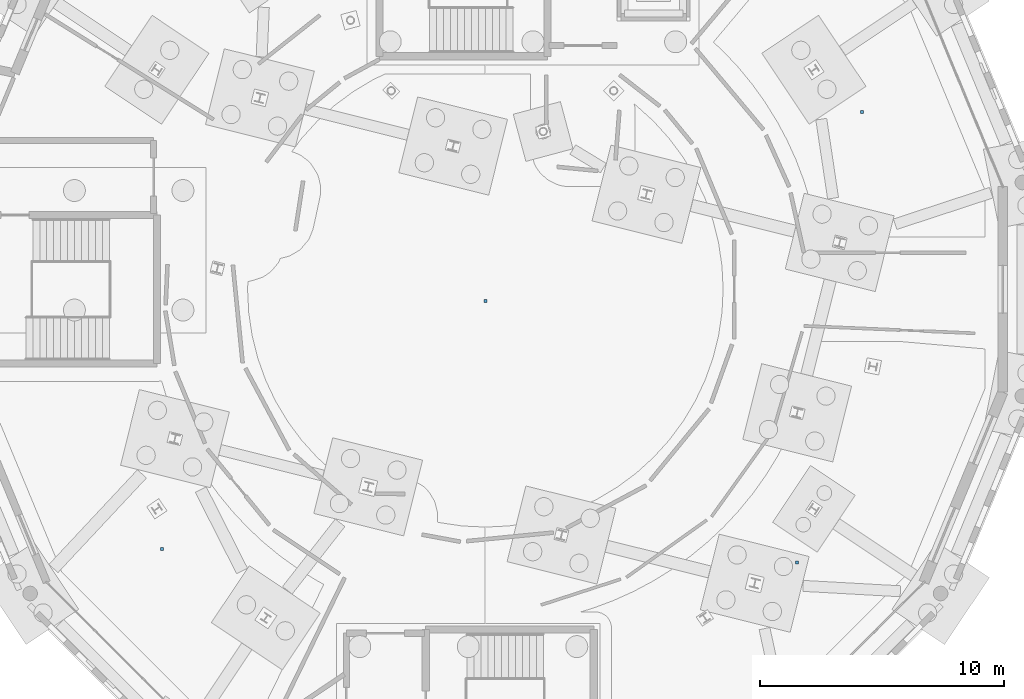
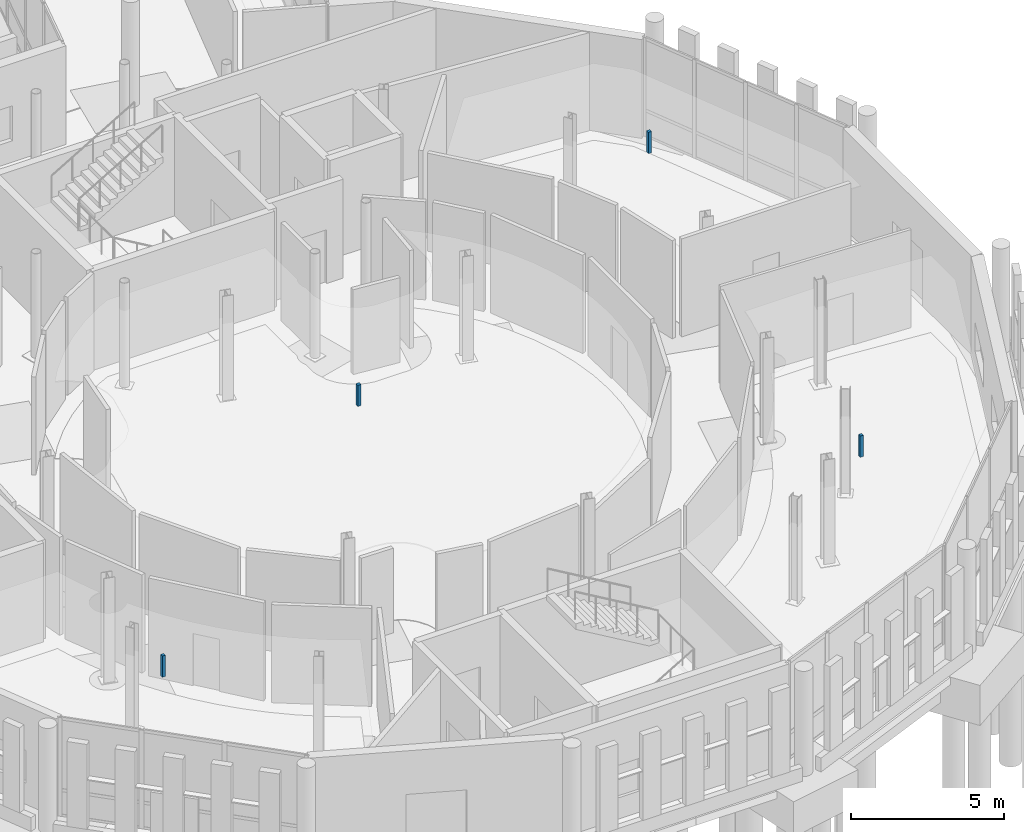
# One storey, part 104 of 113: 4 discrete accessories.
"""IFC4 building model written with IfcOpenShell, lengths in metres."""

from ifc_helpers import new_model, si_unit, direction, frame, origin, origin_2d, place, context, subcontext, project, spatial, rectangle, extrude, material, type_object, element, save


model = new_model("IFC4")

# Units and contexts
model_context = context("Model", 3, precision=1e-05, world=origin(), true_north=direction((0.0, 1.0)))
body_context = subcontext(model_context, "Body", "Model", "MODEL_VIEW")
ifc_project = project(units=[si_unit("LENGTHUNIT", "METRE"), si_unit("AREAUNIT", "SQUARE_METRE"), si_unit("VOLUMEUNIT", "CUBIC_METRE"), si_unit("PLANEANGLEUNIT", "RADIAN"), si_unit("MASSUNIT", "GRAM", prefix="KILO")], contexts=[model_context])

# Site, building, storey
site_placement = place(None, origin())
site = spatial("IfcSite", under=ifc_project, at=site_placement, CompositionType="ELEMENT")
building_placement = place(site_placement, origin())
building = spatial("IfcBuilding", under=site, at=building_placement, Name="Wrenclough Park School", CompositionType="ELEMENT")
storey_placement = place(building_placement, origin())
storey = spatial("IfcBuildingStorey", under=building, at=storey_placement, Name="L00", CompositionType="ELEMENT", Elevation=0.0)

# Discrete accessories
ifc_material = material(Name="Galvanised steel acoustic ceiling suspension hanger", Category="steel")
discrete_accessory_type = type_object("IfcDiscreteAccessoryType", Name="INT-BRK-HGR", PredefinedType="BRACKET", material=ifc_material)
for number, where, z_axis, x_axis, name in (
    (1, (142.24365234375, 15.84521484375, 3.08984375), (0.0, 0.0, 1.0), (1.0, 0.0, 0.0), "Acoustic ceiling hanger bracket 0001"),
    (2, (168.28466796875, 15.29541015625, 3.08984375), (0.0, 0.0, 1.0), (1.0, 0.0, 0.0), "Acoustic ceiling hanger bracket 0002"),
    (3, (170.94140625, 33.76416015625, 3.08984375), (0.0, 0.0, 1.0), (1.0, 0.0, 0.0), "Acoustic ceiling hanger bracket 0003"),
    (4, (155.5, 26.022216796875, 3.08984375), (0.0, 0.0, 1.0), (1.0, 0.0, 0.0), "Acoustic ceiling hanger bracket 0004"),
):
    element("IfcDiscreteAccessory", number, at=place(storey_placement, frame(where, z_axis=z_axis, x_axis=x_axis)), inside=storey, type_object=discrete_accessory_type, Name=name, PredefinedType="BRACKET", context=body_context, shape_type="SweptSolid", body=[
        extrude(rectangle(XDim=0.1201171875, YDim=0.1201171875, at=origin_2d()), origin(), (0.0, 0.0, 1.0), 0.85009765625),
    ])

save(model, "model.ifc")
